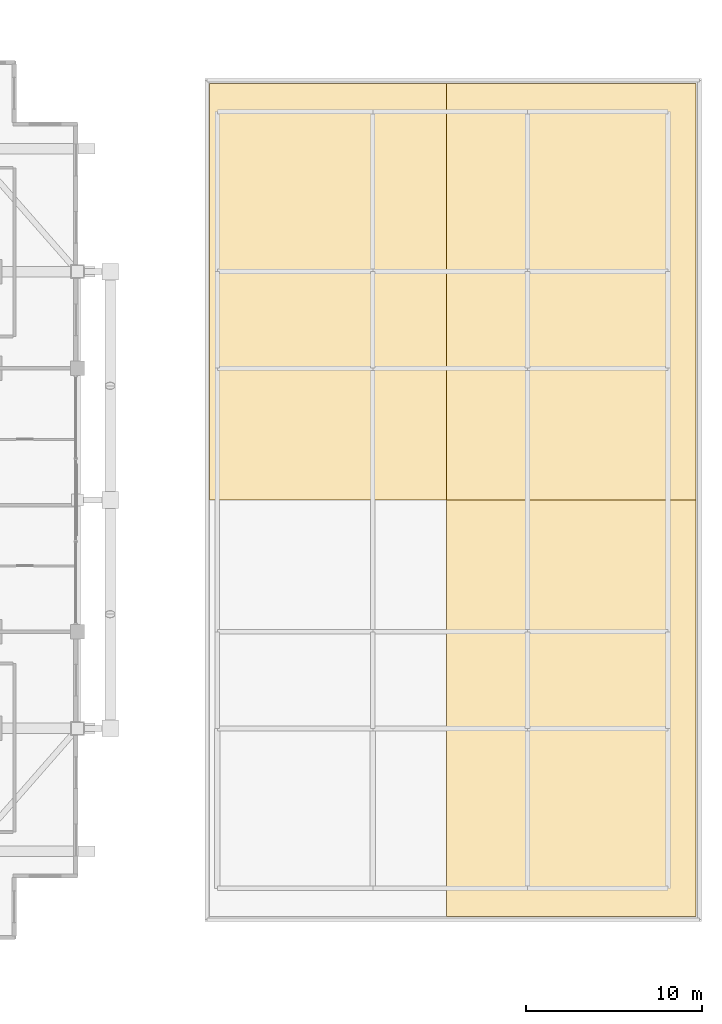
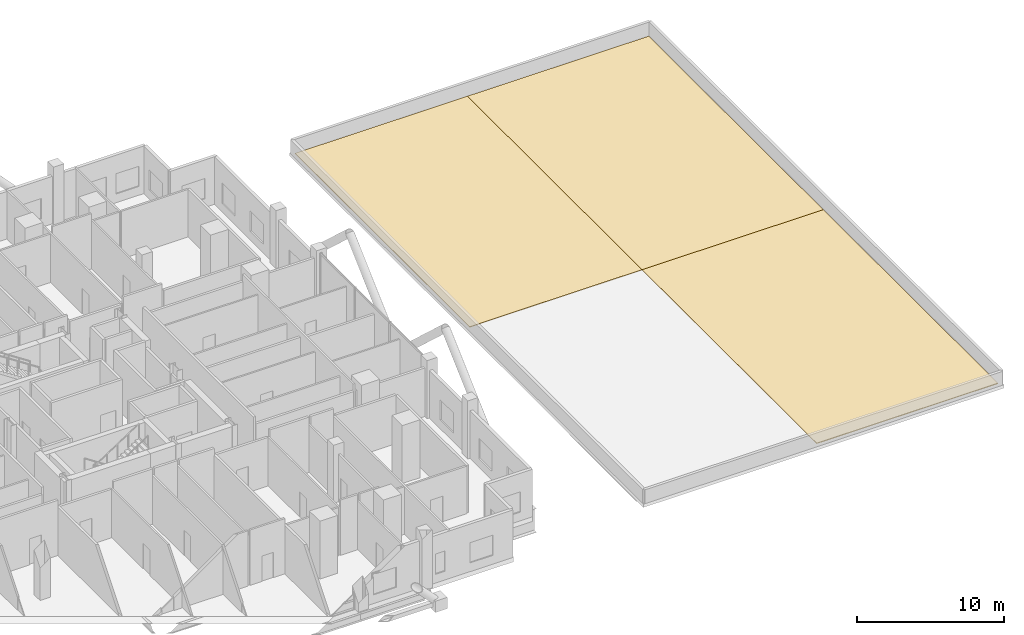
# One storey, part 32 of 33: 3 coverings.
"""IFC4 building model written with IfcOpenShell, lengths in metres."""

from ifc_helpers import new_model, si_unit, direction, frame, origin, place, context, subcontext, project, spatial, polyline, outline, extrude, material, layer, layer_set, type_object, element, save


model = new_model("IFC4")

# Units and contexts
model_context = context("Model", 3, precision=1e-05, world=origin(), true_north=direction((0.0, 1.0)))
body_context = subcontext(model_context, "Body", "Model", "MODEL_VIEW")
ifc_project = project(units=[si_unit("LENGTHUNIT", "METRE"), si_unit("AREAUNIT", "SQUARE_METRE"), si_unit("VOLUMEUNIT", "CUBIC_METRE"), si_unit("PLANEANGLEUNIT", "RADIAN"), si_unit("MASSUNIT", "GRAM", prefix="KILO")], contexts=[model_context])

# Site, building, storey
site_placement = place(None, origin())
site = spatial("IfcSite", under=ifc_project, at=site_placement, CompositionType="ELEMENT")
building_placement = place(site_placement, origin())
building = spatial("IfcBuilding", under=site, at=building_placement, Name="Barlavira Tower and Art Museum", CompositionType="ELEMENT")
storey_placement = place(building_placement, frame((0.0, 0.0, 27.60009765625)))
storey = spatial("IfcBuildingStorey", under=building, at=storey_placement, Name="L05", CompositionType="ELEMENT", Elevation=27.60009765625)

# Coverings
ifc_material = material(Name="Pale anodised aluminium", Category="aluminium")
ifc_layer = layer(ifc_material, 0.06005859375, Name="Pale anodised aluminium")
ifc_layer_set = layer_set([ifc_layer], Name="Pale anodised aluminium")
covering_type = type_object("IfcCoveringType", Name="Sloped Roof Standing-Seam Pale-Metal Weathering 60", PredefinedType="ROOFING", material=ifc_layer_set)
covering_1_placement = place(storey_placement, origin())
element("IfcCovering", 1, at=covering_1_placement, inside=storey, type_object=covering_type, Name="Museum Standing-Seam Roofing Bay MUS2", PredefinedType="ROOFING", context=body_context, shape_type="SweptSolid", body=[
    extrude(outline(polyline([(43.0, -23.699951171875), (57.199951171875, -23.699951171875), (57.199951171875, 0.0), (43.0, 0.0), (43.0, -23.699951171875)])), origin(), (0.0, 0.0, 1.0), 0.059814453125),
])
covering_2_placement = place(storey_placement, origin())
element("IfcCovering", 2, at=covering_2_placement, inside=storey, type_object=covering_type, Name="Museum Standing-Seam Roofing Bay MUS3", PredefinedType="ROOFING", context=body_context, shape_type="SweptSolid", body=[
    extrude(outline(polyline([(29.5, 0.0), (43.0, 0.0), (43.0, 23.699951171875), (29.5, 23.699951171875), (29.5, 0.0)])), origin(), (0.0, 0.0, 1.0), 0.059814453125),
])
covering_3_placement = place(storey_placement, origin())
element("IfcCovering", 3, at=covering_3_placement, inside=storey, type_object=covering_type, Name="Museum Standing-Seam Roofing Bay MUS4", PredefinedType="ROOFING", context=body_context, shape_type="SweptSolid", body=[
    extrude(outline(polyline([(43.0, 0.0), (57.199951171875, 0.0), (57.199951171875, 23.699951171875), (43.0, 23.699951171875), (43.0, 0.0)])), origin(), (0.0, 0.0, 1.0), 0.059814453125),
])

save(model, "model.ifc")
